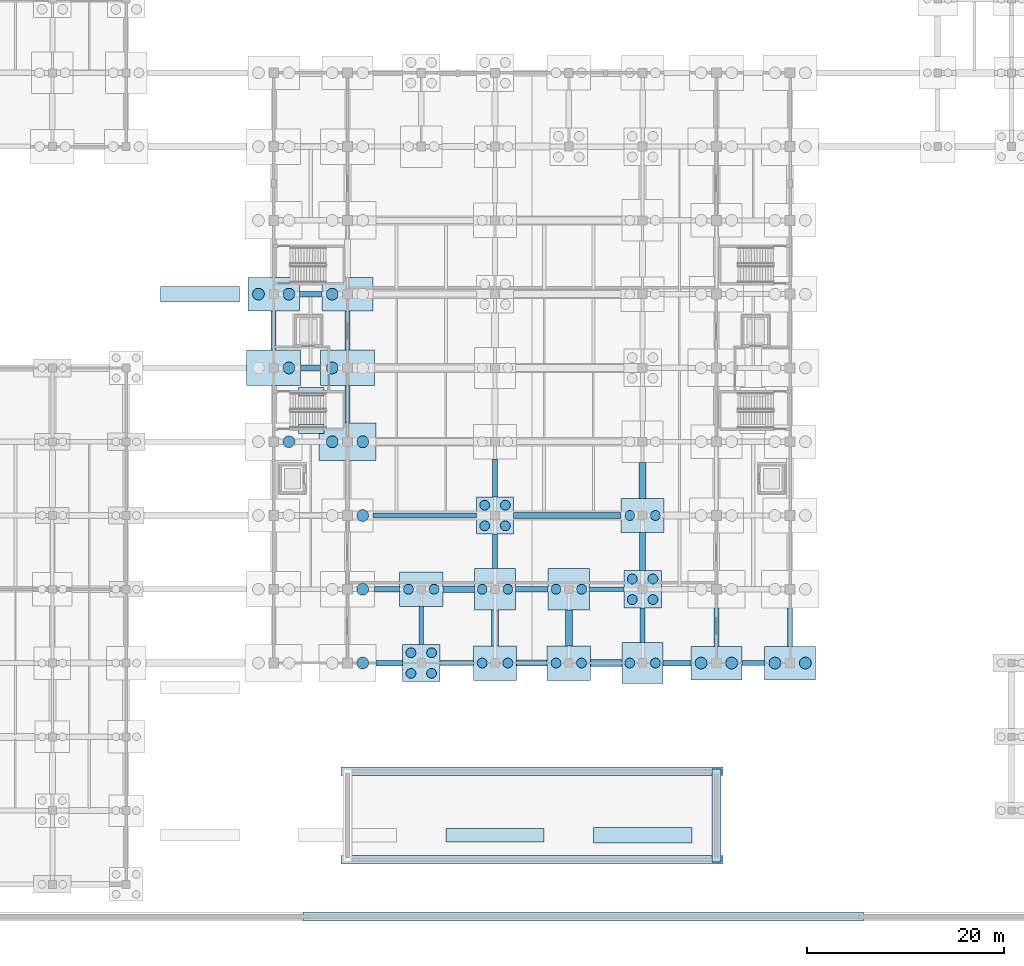
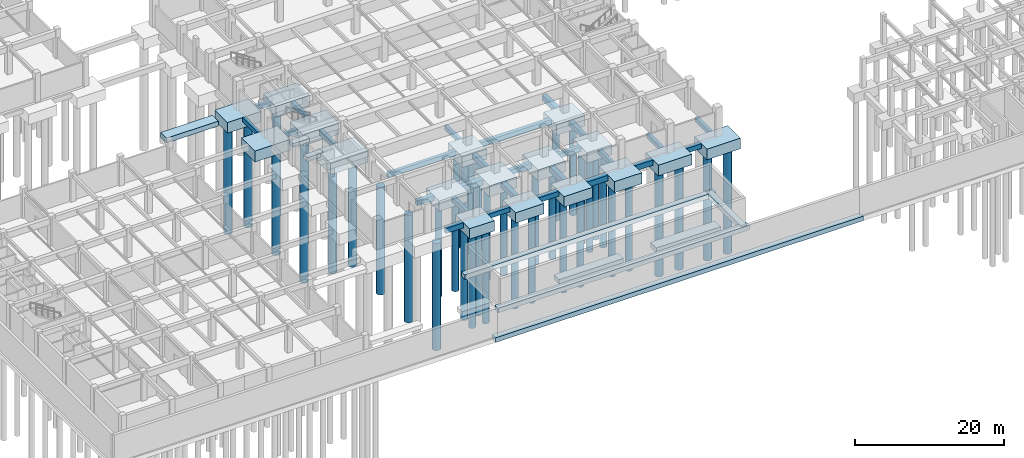
# One storey, part 4 of 38: 53 footings, 41 piles.
"""IFC4 building model written with IfcOpenShell, lengths in metres."""

from ifc_helpers import new_model, si_unit, direction, frame, origin, origin_2d, place, context, subcontext, project, spatial, polyline, rectangle, circle, outline, extrude, material, material_profile, profile_set, type_object, element, save


model = new_model("IFC4")

# Units and contexts
model_context = context("Model", 3, precision=1e-05, world=origin(), true_north=direction((0.0, 1.0)))
body_context = subcontext(model_context, "Body", "Model", "MODEL_VIEW")
ifc_project = project(units=[si_unit("LENGTHUNIT", "METRE"), si_unit("AREAUNIT", "SQUARE_METRE"), si_unit("VOLUMEUNIT", "CUBIC_METRE"), si_unit("PLANEANGLEUNIT", "RADIAN"), si_unit("MASSUNIT", "GRAM", prefix="KILO")], contexts=[model_context])

# Site, building, storey
site_placement = place(None, origin())
site = spatial("IfcSite", under=ifc_project, at=site_placement, CompositionType="ELEMENT")
building_placement = place(site_placement, origin())
building = spatial("IfcBuilding", under=site, at=building_placement, Name="Qasida Concert Hall", CompositionType="ELEMENT")
storey_placement = place(building_placement, frame((0.0, 0.0, -4.800048828125)))
storey = spatial("IfcBuildingStorey", under=building, at=storey_placement, Name="B1", CompositionType="ELEMENT", Elevation=-4.800048828125)

# Footings
ifc_material = material(Name="Concrete C40/50", Category="concrete")
footing_type_1 = type_object("IfcFootingType", Name="FT-GB-1", PredefinedType="FOOTING_BEAM", material=ifc_material)
footing_1_placement = place(storey_placement, frame((0.0, 0.0, -1.169921875)))
element("IfcFooting", 1, at=footing_1_placement, inside=storey, type_object=footing_type_1, Name="Ground tie beam GB-1 036", PredefinedType="FOOTING_BEAM", context=body_context, shape_type="SweptSolid", body=[
    extrude(outline(polyline([(69.39990234375, 22.25), (72.800048828125, 22.25), (72.800048828125, 22.75), (69.39990234375, 22.75), (69.39990234375, 22.25)])), origin(), (0.0, 0.0, 1.0), 0.75),
])
footing_2_placement = place(storey_placement, frame((0.0, 0.0, -1.169921875)))
element("IfcFooting", 2, at=footing_2_placement, inside=storey, type_object=footing_type_1, Name="Ground tie beam GB-1 040", PredefinedType="FOOTING_BEAM", context=body_context, shape_type="SweptSolid", body=[
    extrude(outline(polyline([(100.10009765625, 22.25), (102.39990234375, 22.25), (102.39990234375, 22.75), (100.10009765625, 22.75), (100.10009765625, 22.25)])), origin(), (0.0, 0.0, 1.0), 0.75),
])
footing_3_placement = place(storey_placement, frame((0.0, 0.0, -1.169921875)))
element("IfcFooting", 3, at=footing_3_placement, inside=storey, type_object=footing_type_1, Name="Ground tie beam GB-1 056", PredefinedType="FOOTING_BEAM", context=body_context, shape_type="SweptSolid", body=[
    extrude(outline(polyline([(84.60009765625, 29.75), (88.10009765625, 29.75), (88.10009765625, 30.25), (84.60009765625, 30.25), (84.60009765625, 29.75)])), origin(), (0.0, 0.0, 1.0), 0.75),
])
footing_4_placement = place(storey_placement, frame((0.0, 0.0, -1.169921875)))
element("IfcFooting", 4, at=footing_4_placement, inside=storey, type_object=footing_type_1, Name="Ground tie beam GB-1 068", PredefinedType="FOOTING_BEAM", context=body_context, shape_type="SweptSolid", body=[
    extrude(outline(polyline([(62.60009765625, 37.25), (73.10009765625, 37.25), (73.10009765625, 37.75), (62.60009765625, 37.75), (62.60009765625, 37.25)])), origin(), (0.0, 0.0, 1.0), 0.75),
])
footing_5_placement = place(storey_placement, frame((0.0, 0.0, -1.169921875)))
element("IfcFooting", 5, at=footing_5_placement, inside=storey, type_object=footing_type_1, Name="Ground tie beam GB-1 088", PredefinedType="FOOTING_BEAM", context=body_context, shape_type="SweptSolid", body=[
    extrude(outline(polyline([(55.25, 52.25), (57.25, 52.25), (57.25, 52.75), (55.25, 52.75), (55.25, 52.25)])), origin(), (0.0, 0.0, 1.0), 0.75),
])
footing_6_placement = place(storey_placement, frame((0.0, 0.0, -1.169921875)))
element("IfcFooting", 6, at=footing_6_placement, inside=storey, type_object=footing_type_1, Name="Ground tie beam GB-1 092", PredefinedType="FOOTING_BEAM", context=body_context, shape_type="SweptSolid", body=[
    extrude(outline(polyline([(55.10009765625, 59.75), (57.39990234375, 59.75), (57.39990234375, 60.25), (55.10009765625, 60.25), (55.10009765625, 59.75)])), origin(), (0.0, 0.0, 1.0), 0.75),
])
footing_7_placement = place(storey_placement, frame((0.0, 0.0, -1.169921875)))
element("IfcFooting", 7, at=footing_7_placement, inside=storey, type_object=footing_type_1, Name="Ground tie beam GB-1 260", PredefinedType="FOOTING_BEAM", context=body_context, shape_type="SweptSolid", body=[
    extrude(outline(polyline([(52.25, 54.300048828125), (52.75, 54.300048828125), (52.75, 58.300048828125), (52.25, 58.300048828125), (52.25, 54.300048828125)])), origin(), (0.0, 0.0, 1.0), 0.75),
])
footing_8_placement = place(storey_placement, frame((0.0, 0.0, -1.169921875)))
element("IfcFooting", 8, at=footing_8_placement, inside=storey, type_object=footing_type_1, Name="Ground tie beam GB-1 268", PredefinedType="FOOTING_BEAM", context=body_context, shape_type="SweptSolid", body=[
    extrude(outline(polyline([(59.75, 54.300048828125), (60.25, 54.300048828125), (60.25, 58.300048828125), (59.75, 58.300048828125), (59.75, 54.300048828125)])), origin(), (0.0, 0.0, 1.0), 0.75),
])
footing_9_placement = place(storey_placement, frame((0.0, 0.0, -1.169921875)))
element("IfcFooting", 9, at=footing_9_placement, inside=storey, type_object=footing_type_1, Name="Ground tie beam GB-1 272", PredefinedType="FOOTING_BEAM", context=body_context, shape_type="SweptSolid", body=[
    extrude(outline(polyline([(67.25, 24.39990234375), (67.75, 24.39990234375), (67.75, 28.25), (67.25, 28.25), (67.25, 24.39990234375)])), origin(), (0.0, 0.0, 1.0), 0.75),
])
footing_10_placement = place(storey_placement, frame((0.0, 0.0, -1.169921875)))
element("IfcFooting", 10, at=footing_10_placement, inside=storey, type_object=footing_type_1, Name="Ground tie beam GB-1 276", PredefinedType="FOOTING_BEAM", context=body_context, shape_type="SweptSolid", body=[
    extrude(outline(polyline([(74.75, 39.39990234375), (75.25, 39.39990234375), (75.25, 43.25), (74.75, 43.25), (74.75, 39.39990234375)])), origin(), (0.0, 0.0, 1.0), 0.75),
])
footing_11_placement = place(storey_placement, frame((0.0, 0.0, -1.169921875)))
element("IfcFooting", 11, at=footing_11_placement, inside=storey, type_object=footing_type_1, Name="Ground tie beam GB-1 284", PredefinedType="FOOTING_BEAM", context=body_context, shape_type="SweptSolid", body=[
    extrude(outline(polyline([(89.75, 24.60009765625), (90.25, 24.60009765625), (90.25, 28.10009765625), (89.75, 28.10009765625), (89.75, 24.60009765625)])), origin(), (0.0, 0.0, 1.0), 0.75),
])
footing_12_placement = place(storey_placement, frame((0.0, 0.0, -1.169921875)))
element("IfcFooting", 12, at=footing_12_placement, inside=storey, type_object=footing_type_1, Name="Ground tie beam GB-1 292", PredefinedType="FOOTING_BEAM", context=body_context, shape_type="SweptSolid", body=[
    extrude(outline(polyline([(97.25, 24.199951171875), (97.75, 24.199951171875), (97.75, 28.10009765625), (97.25, 28.10009765625), (97.25, 24.199951171875)])), origin(), (0.0, 0.0, 1.0), 0.75),
])
footing_13_placement = place(storey_placement, frame((0.0, 0.0, -1.169921875)))
element("IfcFooting", 13, at=footing_13_placement, inside=storey, type_object=footing_type_1, Name="Ground tie beam GB-1 300", PredefinedType="FOOTING_BEAM", context=body_context, shape_type="SweptSolid", body=[
    extrude(outline(polyline([(104.75, 24.199951171875), (105.25, 24.199951171875), (105.25, 28.10009765625), (104.75, 28.10009765625), (104.75, 24.199951171875)])), origin(), (0.0, 0.0, 1.0), 0.75),
])
footing_type_2 = type_object("IfcFootingType", Name="FT-GB-2", PredefinedType="FOOTING_BEAM", material=ifc_material)
footing_14_placement = place(storey_placement, frame((0.0, 0.0, -1.219970703125)))
element("IfcFooting", 14, at=footing_14_placement, inside=storey, type_object=footing_type_2, Name="Ground tie beam GB-2 037", PredefinedType="FOOTING_BEAM", context=body_context, shape_type="SweptSolid", body=[
    extrude(outline(polyline([(77.199951171875, 22.199951171875), (80.300048828125, 22.199951171875), (80.300048828125, 22.800048828125), (77.199951171875, 22.800048828125), (77.199951171875, 22.199951171875)])), origin(), (0.0, 0.0, 1.0), 0.800048828125),
])
footing_15_placement = place(storey_placement, frame((0.0, 0.0, -1.219970703125)))
element("IfcFooting", 15, at=footing_15_placement, inside=storey, type_object=footing_type_2, Name="Ground tie beam GB-2 053", PredefinedType="FOOTING_BEAM", context=body_context, shape_type="SweptSolid", body=[
    extrude(outline(polyline([(62.75, 29.699951171875), (65.300048828125, 29.699951171875), (65.300048828125, 30.300048828125), (62.75, 30.300048828125), (62.75, 29.699951171875)])), origin(), (0.0, 0.0, 1.0), 0.800048828125),
])
footing_16_placement = place(storey_placement, frame((0.0, 0.0, -1.219970703125)))
element("IfcFooting", 16, at=footing_16_placement, inside=storey, type_object=footing_type_2, Name="Ground tie beam GB-2 069", PredefinedType="FOOTING_BEAM", context=body_context, shape_type="SweptSolid", body=[
    extrude(outline(polyline([(76.89990234375, 37.199951171875), (87.800048828125, 37.199951171875), (87.800048828125, 37.800048828125), (76.89990234375, 37.800048828125), (76.89990234375, 37.199951171875)])), origin(), (0.0, 0.0, 1.0), 0.800048828125),
])
footing_17_placement = place(storey_placement, frame((0.0, 0.0, -1.219970703125)))
element("IfcFooting", 17, at=footing_17_placement, inside=storey, type_object=footing_type_2, Name="Ground tie beam GB-2 285", PredefinedType="FOOTING_BEAM", context=body_context, shape_type="SweptSolid", body=[
    extrude(outline(polyline([(89.699951171875, 31.89990234375), (90.300048828125, 31.89990234375), (90.300048828125, 35.75), (89.699951171875, 35.75), (89.699951171875, 31.89990234375)])), origin(), (0.0, 0.0, 1.0), 0.800048828125),
])
footing_type_3 = type_object("IfcFootingType", Name="FT-GB-3", PredefinedType="FOOTING_BEAM", material=ifc_material)
footing_18_placement = place(storey_placement, frame((0.0, 0.0, -1.320068359375)))
element("IfcFooting", 18, at=footing_18_placement, inside=storey, type_object=footing_type_3, Name="Ground tie beam GB-3 038", PredefinedType="FOOTING_BEAM", context=body_context, shape_type="SweptSolid", body=[
    extrude(outline(polyline([(84.699951171875, 22.14990234375), (87.89990234375, 22.14990234375), (87.89990234375, 22.85009765625), (84.699951171875, 22.85009765625), (84.699951171875, 22.14990234375)])), origin(), (0.0, 0.0, 1.0), 0.900146484375),
])
footing_19_placement = place(storey_placement, frame((0.0, 0.0, -1.320068359375)))
element("IfcFooting", 19, at=footing_19_placement, inside=storey, type_object=footing_type_3, Name="Ground tie beam GB-3 054", PredefinedType="FOOTING_BEAM", context=body_context, shape_type="SweptSolid", body=[
    extrude(outline(polyline([(69.699951171875, 29.64990234375), (72.89990234375, 29.64990234375), (72.89990234375, 30.35009765625), (69.699951171875, 30.35009765625), (69.699951171875, 29.64990234375)])), origin(), (0.0, 0.0, 1.0), 0.900146484375),
])
footing_20_placement = place(storey_placement, frame((0.0, 0.0, -1.320068359375)))
element("IfcFooting", 20, at=footing_20_placement, inside=storey, type_object=footing_type_3, Name="Ground tie beam GB-3 274", PredefinedType="FOOTING_BEAM", context=body_context, shape_type="SweptSolid", body=[
    extrude(outline(polyline([(74.64990234375, 24.25), (75.35009765625, 24.25), (75.35009765625, 27.89990234375), (74.64990234375, 27.89990234375), (74.64990234375, 24.25)])), origin(), (0.0, 0.0, 1.0), 0.900146484375),
])
footing_21_placement = place(storey_placement, frame((0.0, 0.0, -1.320068359375)))
element("IfcFooting", 21, at=footing_21_placement, inside=storey, type_object=footing_type_3, Name="Ground tie beam GB-3 282", PredefinedType="FOOTING_BEAM", context=body_context, shape_type="SweptSolid", body=[
    extrude(outline(polyline([(82.14990234375, 24.25), (82.85009765625, 24.25), (82.85009765625, 27.89990234375), (82.14990234375, 27.89990234375), (82.14990234375, 24.25)])), origin(), (0.0, 0.0, 1.0), 0.900146484375),
])
footing_22_placement = place(storey_placement, frame((0.0, 0.0, -1.320068359375)))
element("IfcFooting", 22, at=footing_22_placement, inside=storey, type_object=footing_type_3, Name="Ground tie beam GB-3 286", PredefinedType="FOOTING_BEAM", context=body_context, shape_type="SweptSolid", body=[
    extrude(outline(polyline([(89.64990234375, 39.25), (90.35009765625, 39.25), (90.35009765625, 42.89990234375), (89.64990234375, 42.89990234375), (89.64990234375, 39.25)])), origin(), (0.0, 0.0, 1.0), 0.900146484375),
])
footing_type_4 = type_object("IfcFootingType", Name="FT-GB-4", PredefinedType="FOOTING_BEAM", material=ifc_material)
footing_23_placement = place(storey_placement, frame((0.0, 0.0, -1.27001953125)))
element("IfcFooting", 23, at=footing_23_placement, inside=storey, type_object=footing_type_4, Name="Ground tie beam GB-4 035", PredefinedType="FOOTING_BEAM", context=body_context, shape_type="SweptSolid", body=[
    extrude(outline(polyline([(62.89990234375, 22.22509765625), (65.60009765625, 22.22509765625), (65.60009765625, 22.77490234375), (62.89990234375, 22.77490234375), (62.89990234375, 22.22509765625)])), origin(), (0.0, 0.0, 1.0), 0.85009765625),
])
footing_24_placement = place(storey_placement, frame((0.0, 0.0, -1.27001953125)))
element("IfcFooting", 24, at=footing_24_placement, inside=storey, type_object=footing_type_4, Name="Ground tie beam GB-4 039", PredefinedType="FOOTING_BEAM", context=body_context, shape_type="SweptSolid", body=[
    extrude(outline(polyline([(92.10009765625, 22.22509765625), (94.89990234375, 22.22509765625), (94.89990234375, 22.77490234375), (92.10009765625, 22.77490234375), (92.10009765625, 22.22509765625)])), origin(), (0.0, 0.0, 1.0), 0.85009765625),
])
footing_25_placement = place(storey_placement, frame((0.0, 0.0, -1.27001953125)))
element("IfcFooting", 25, at=footing_25_placement, inside=storey, type_object=footing_type_4, Name="Ground tie beam GB-4 055", PredefinedType="FOOTING_BEAM", context=body_context, shape_type="SweptSolid", body=[
    extrude(outline(polyline([(77.10009765625, 29.72509765625), (80.39990234375, 29.72509765625), (80.39990234375, 30.27490234375), (77.10009765625, 30.27490234375), (77.10009765625, 29.72509765625)])), origin(), (0.0, 0.0, 1.0), 0.85009765625),
])
footing_26_placement = place(storey_placement, frame((0.0, 0.0, -1.27001953125)))
element("IfcFooting", 26, at=footing_26_placement, inside=storey, type_object=footing_type_4, Name="Ground tie beam GB-4 267", PredefinedType="FOOTING_BEAM", context=body_context, shape_type="SweptSolid", body=[
    extrude(outline(polyline([(59.72509765625, 46.89990234375), (60.27490234375, 46.89990234375), (60.27490234375, 50.699951171875), (59.72509765625, 50.699951171875), (59.72509765625, 46.89990234375)])), origin(), (0.0, 0.0, 1.0), 0.85009765625),
])
footing_27_placement = place(storey_placement, frame((0.0, 0.0, -1.27001953125)))
element("IfcFooting", 27, at=footing_27_placement, inside=storey, type_object=footing_type_4, Name="Ground tie beam GB-4 275", PredefinedType="FOOTING_BEAM", context=body_context, shape_type="SweptSolid", body=[
    extrude(outline(polyline([(74.72509765625, 32.10009765625), (75.27490234375, 32.10009765625), (75.27490234375, 35.60009765625), (74.72509765625, 35.60009765625), (74.72509765625, 32.10009765625)])), origin(), (0.0, 0.0, 1.0), 0.85009765625),
])
footing_type_5 = type_object("IfcFootingType", Name="FT-PC-4C", PredefinedType="PILE_CAP", material=ifc_material)
for number, where, z_axis, x_axis, name in (
    (28, (67.5, 22.5, -2.1201171875), (0.0, 0.0, 1.0), (1.0, 0.0, 0.0), "Pile cap PC-4C 019"),
    (29, (75.0, 37.5, -2.1201171875), (0.0, 0.0, 1.0), (1.0, 0.0, 0.0), "Pile cap PC-4C 025"),
    (30, (90.0, 30.0, -2.1201171875), (0.0, 0.0, 1.0), (1.0, 0.0, 0.0), "Pile cap PC-4C 037"),
):
    element("IfcFooting", number, at=place(storey_placement, frame(where, z_axis=z_axis, x_axis=x_axis)), inside=storey, type_object=footing_type_5, Name=name, PredefinedType="PILE_CAP", context=body_context, shape_type="SweptSolid", body=[
        extrude(rectangle(XDim=3.800048828125, YDim=3.800048828125, at=origin_2d()), origin(), (0.0, 0.0, 1.0), 1.699951171875),
    ])
footing_type_6 = type_object("IfcFootingType", Name="FT-PC-4D", PredefinedType="PILE_CAP", material=ifc_material)
for number, where, z_axis, x_axis, name in (
    (31, (75.0, 30.0, -2.22021484375), (0.0, 0.0, 1.0), (1.0, 0.0, 0.0), "Pile cap PC-4D 024"),
    (32, (82.5, 30.0, -2.22021484375), (0.0, 0.0, 1.0), (1.0, 0.0, 0.0), "Pile cap PC-4D 033"),
    (33, (90.0, 22.5, -2.22021484375), (0.0, 0.0, 1.0), (1.0, 0.0, 0.0), "Pile cap PC-4D 036"),
):
    element("IfcFooting", number, at=place(storey_placement, frame(where, z_axis=z_axis, x_axis=x_axis)), inside=storey, type_object=footing_type_6, Name=name, PredefinedType="PILE_CAP", context=body_context, shape_type="SweptSolid", body=[
        extrude(rectangle(XDim=4.199951171875, YDim=4.199951171875, at=origin_2d()), origin(), (0.0, 0.0, 1.0), 1.800048828125),
    ])
footing_type_7 = type_object("IfcFootingType", Name="FT-PC-4F", PredefinedType="PILE_CAP", material=ifc_material)
for number, where, z_axis, x_axis, name in (
    (34, (67.5, 30.0, -2.1201171875), (0.0, 0.0, 1.0), (1.0, 0.0, 0.0), "Pile cap PC-4F 020"),
    (35, (75.0, 22.5, -2.1201171875), (0.0, 0.0, 1.0), (1.0, 0.0, 0.0), "Pile cap PC-4F 023"),
    (36, (82.5, 22.5, -2.1201171875), (0.0, 0.0, 1.0), (1.0, 0.0, 0.0), "Pile cap PC-4F 032"),
    (37, (90.0, 37.5, -2.1201171875), (0.0, 0.0, 1.0), (1.0, 0.0, 0.0), "Pile cap PC-4F 038"),
):
    element("IfcFooting", number, at=place(storey_placement, frame(where, z_axis=z_axis, x_axis=x_axis)), inside=storey, type_object=footing_type_7, Name=name, PredefinedType="PILE_CAP", context=body_context, shape_type="SweptSolid", body=[
        extrude(rectangle(XDim=4.39990234375, YDim=3.5, at=origin_2d()), origin(), (0.0, 0.0, 1.0), 1.699951171875),
    ])
footing_type_8 = type_object("IfcFootingType", Name="FT-PC-6A", PredefinedType="PILE_CAP", material=ifc_material)
for number, where, z_axis, x_axis, name in (
    (38, (52.5, 60.0, -2.169921875), (0.0, 0.0, 1.0), (1.0, 0.0, 0.0), "Pile cap PC-6A 006"),
    (39, (60.0, 60.0, -2.169921875), (0.0, 0.0, 1.0), (1.0, 0.0, 0.0), "Pile cap PC-6A 015"),
    (40, (97.5, 22.5, -2.169921875), (0.0, 0.0, 1.0), (1.0, 0.0, 0.0), "Pile cap PC-6A 045"),
    (41, (105.0, 22.5, -2.169921875), (0.0, 0.0, 1.0), (1.0, 0.0, 0.0), "Pile cap PC-6A 054"),
):
    element("IfcFooting", number, at=place(storey_placement, frame(where, z_axis=z_axis, x_axis=x_axis)), inside=storey, type_object=footing_type_8, Name=name, PredefinedType="PILE_CAP", context=body_context, shape_type="SweptSolid", body=[
        extrude(rectangle(XDim=5.199951171875, YDim=3.39990234375, at=origin_2d()), origin(), (0.0, 0.0, 1.0), 1.75),
    ])
footing_type_9 = type_object("IfcFootingType", Name="FT-PC-6B", PredefinedType="PILE_CAP", material=ifc_material)
footing_28_placement = place(storey_placement, frame((60.0, 45.0, -2.27001953125), z_axis=(0.0, 0.0, 1.0), x_axis=(1.0, 0.0, 0.0)))
element("IfcFooting", 42, at=footing_28_placement, inside=storey, type_object=footing_type_9, Name="Pile cap PC-6B 013", PredefinedType="PILE_CAP", context=body_context, shape_type="SweptSolid", body=[
    extrude(rectangle(XDim=5.800048828125, YDim=3.800048828125, at=origin_2d()), origin(), (0.0, 0.0, 1.0), 1.85009765625),
])
footing_type_10 = type_object("IfcFootingType", Name="FT-PC-6C", PredefinedType="PILE_CAP", material=ifc_material)
for number, where, z_axis, x_axis, name in (
    (43, (52.5, 52.5, -2.22021484375), (0.0, 0.0, 1.0), (1.0, 0.0, 0.0), "Pile cap PC-6C 005"),
    (44, (60.0, 52.5, -2.22021484375), (0.0, 0.0, 1.0), (1.0, 0.0, 0.0), "Pile cap PC-6C 014"),
):
    element("IfcFooting", number, at=place(storey_placement, frame(where, z_axis=z_axis, x_axis=x_axis)), inside=storey, type_object=footing_type_10, Name=name, PredefinedType="PILE_CAP", context=body_context, shape_type="SweptSolid", body=[
        extrude(rectangle(XDim=5.5, YDim=3.60009765625, at=origin_2d()), origin(), (0.0, 0.0, 1.0), 1.800048828125),
    ])
footing_type_11 = type_object("IfcFootingType", Name="FT-SF-1C", PredefinedType="STRIP_FOOTING", material=ifc_material)
footing_29_placement = place(storey_placement, frame((0.0, 0.0, -1.050048828125)))
element("IfcFooting", 45, at=footing_29_placement, inside=storey, type_object=footing_type_11, Name="B1 ST01 stairwell strip footing S", PredefinedType="STRIP_FOOTING", context=body_context, shape_type="SweptSolid", body=[
    extrude(outline(polyline([(55.0, 45.824951171875), (57.60009765625, 45.824951171875), (57.60009765625, 46.72509765625), (55.0, 46.72509765625), (55.0, 45.824951171875)])), origin(), (0.0, 0.0, 1.0), 0.630126953125),
])
footing_30_placement = place(storey_placement, frame((0.0, 0.0, -1.050048828125)))
element("IfcFooting", 46, at=footing_30_placement, inside=storey, type_object=footing_type_11, Name="B1 ST01 stairwell strip footing N", PredefinedType="STRIP_FOOTING", context=body_context, shape_type="SweptSolid", body=[
    extrude(outline(polyline([(55.0, 49.635009765625), (57.60009765625, 49.635009765625), (57.60009765625, 50.534912109375), (55.0, 50.534912109375), (55.0, 49.635009765625)])), origin(), (0.0, 0.0, 1.0), 0.630126953125),
])
footing_type_12 = type_object("IfcFootingType", Name="FT-SF-2", PredefinedType="STRIP_FOOTING", material=ifc_material)
footing_31_placement = place(storey_placement, frame((0.0, 0.0, -1.169921875)))
element("IfcFooting", 47, at=footing_31_placement, inside=storey, type_object=footing_type_12, Name="Strip footing SF-2 04", PredefinedType="STRIP_FOOTING", context=body_context, shape_type="SweptSolid", body=[
    extrude(outline(polyline([(70.0, 4.300048828125), (80.0, 4.300048828125), (80.0, 5.699951171875), (70.0, 5.699951171875), (70.0, 4.300048828125)])), origin(), (0.0, 0.0, 1.0), 0.75),
])
footing_type_13 = type_object("IfcFootingType", Name="FT-SF-2A", PredefinedType="STRIP_FOOTING", material=ifc_material)
footing_32_placement = place(storey_placement, frame((0.0, 0.0, -0.75)))
element("IfcFooting", 48, at=footing_32_placement, inside=storey, type_object=footing_type_13, Name="B1 plaza plinth strip footing PLW-S2", PredefinedType="STRIP_FOOTING", context=body_context, shape_type="SweptSolid", body=[
    extrude(outline(polyline([(55.550048828125, -3.72509765625), (112.449951171875, -3.72509765625), (112.449951171875, -2.824951171875), (55.550048828125, -2.824951171875), (55.550048828125, -3.72509765625)])), origin(), (0.0, 0.0, 1.0), 0.75),
])
footing_33_placement = place(storey_placement, frame((0.0, 0.0, -0.75)))
element("IfcFooting", 49, at=footing_33_placement, inside=storey, type_object=footing_type_13, Name="B1 plaza plinth strip footing MFW-S", PredefinedType="STRIP_FOOTING", context=body_context, shape_type="SweptSolid", body=[
    extrude(outline(polyline([(59.324951171875, 2.050048828125), (98.175048828125, 2.050048828125), (98.175048828125, 2.949951171875), (59.324951171875, 2.949951171875), (59.324951171875, 2.050048828125)])), origin(), (0.0, 0.0, 1.0), 0.75),
])
footing_34_placement = place(storey_placement, frame((0.0, 0.0, -0.75)))
element("IfcFooting", 50, at=footing_34_placement, inside=storey, type_object=footing_type_13, Name="B1 plaza plinth strip footing MFW-N", PredefinedType="STRIP_FOOTING", context=body_context, shape_type="SweptSolid", body=[
    extrude(outline(polyline([(59.324951171875, 11.050048828125), (98.175048828125, 11.050048828125), (98.175048828125, 11.949951171875), (59.324951171875, 11.949951171875), (59.324951171875, 11.050048828125)])), origin(), (0.0, 0.0, 1.0), 0.75),
])
footing_35_placement = place(storey_placement, frame((0.0, 0.0, -0.75)))
element("IfcFooting", 51, at=footing_35_placement, inside=storey, type_object=footing_type_13, Name="B1 plaza plinth strip footing MFW-E", PredefinedType="STRIP_FOOTING", context=body_context, shape_type="SweptSolid", body=[
    extrude(outline(polyline([(97.050048828125, 2.27490234375), (97.949951171875, 2.27490234375), (97.949951171875, 11.72509765625), (97.050048828125, 11.72509765625), (97.050048828125, 2.27490234375)])), origin(), (0.0, 0.0, 1.0), 0.75),
])
footing_type_14 = type_object("IfcFootingType", Name="FT-SF-3", PredefinedType="STRIP_FOOTING", material=ifc_material)
footing_36_placement = place(storey_placement, frame((0.0, 0.0, -1.219970703125)))
element("IfcFooting", 52, at=footing_36_placement, inside=storey, type_object=footing_type_14, Name="Strip footing SF-3 05", PredefinedType="STRIP_FOOTING", context=body_context, shape_type="SweptSolid", body=[
    extrude(outline(polyline([(85.0, 4.199951171875), (95.0, 4.199951171875), (95.0, 5.800048828125), (85.0, 5.800048828125), (85.0, 4.199951171875)])), origin(), (0.0, 0.0, 1.0), 0.800048828125),
])
footing_37_placement = place(storey_placement, frame((0.0, 0.0, -1.219970703125)))
element("IfcFooting", 53, at=footing_37_placement, inside=storey, type_object=footing_type_14, Name="Strip footing SF-3 06", PredefinedType="STRIP_FOOTING", context=body_context, shape_type="SweptSolid", body=[
    extrude(outline(polyline([(41.0, 59.199951171875), (49.0, 59.199951171875), (49.0, 60.800048828125), (41.0, 60.800048828125), (41.0, 59.199951171875)])), origin(), (0.0, 0.0, 1.0), 0.800048828125),
])

# Piles
ifc_material_profile_1 = material_profile(ifc_material, circle(Radius=0.5, at=origin_2d()), Name="BORED PILE D1000")
ifc_profile_set_1 = profile_set([ifc_material_profile_1], Name="Concrete C40/50")
pile_type_1 = type_object("IfcPileType", Name="PL-BORED-1000", PredefinedType="BORED", material=ifc_profile_set_1)
for number, where, z_axis, x_axis, name in (
    (54, (66.449951171875, 21.449951171875, -2.02001953125), (0.0, 0.0, -1.0), (1.0, 0.0, 0.0), "Bored pile 0037"),
    (55, (68.550048828125, 21.449951171875, -2.02001953125), (0.0, 0.0, -1.0), (1.0, 0.0, 0.0), "Bored pile 0038"),
    (56, (66.449951171875, 23.550048828125, -2.02001953125), (0.0, 0.0, -1.0), (1.0, 0.0, 0.0), "Bored pile 0039"),
    (57, (68.550048828125, 23.550048828125, -2.02001953125), (0.0, 0.0, -1.0), (1.0, 0.0, 0.0), "Bored pile 0040"),
    (58, (66.199951171875, 30.0, -2.02001953125), (0.0, 0.0, -1.0), (1.0, 0.0, 0.0), "Bored pile 0041"),
    (59, (68.800048828125, 30.0, -2.02001953125), (0.0, 0.0, -1.0), (1.0, 0.0, 0.0), "Bored pile 0042"),
    (60, (73.699951171875, 22.5, -2.02001953125), (0.0, 0.0, -1.0), (1.0, 0.0, 0.0), "Bored pile 0049"),
    (61, (76.300048828125, 22.5, -2.02001953125), (0.0, 0.0, -1.0), (1.0, 0.0, 0.0), "Bored pile 0050"),
):
    element("IfcPile", number, at=place(storey_placement, frame(where, z_axis=z_axis, x_axis=x_axis)), inside=storey, type_object=pile_type_1, Name=name, PredefinedType="BORED", context=body_context, shape_type="SweptSolid", body=[
        extrude(circle(Radius=0.5, at=origin_2d()), origin(), (0.0, 0.0, 1.0), 15.179931640625),
    ])
for number, where, z_axis, x_axis, name in (
    (62, (73.699951171875, 30.0, -2.119873046875), (0.0, 0.0, -1.0), (1.0, 0.0, 0.0), "Bored pile 0051"),
    (63, (76.300048828125, 30.0, -2.119873046875), (0.0, 0.0, -1.0), (1.0, 0.0, 0.0), "Bored pile 0052"),
):
    element("IfcPile", number, at=place(storey_placement, frame(where, z_axis=z_axis, x_axis=x_axis)), inside=storey, type_object=pile_type_1, Name=name, PredefinedType="BORED", context=body_context, shape_type="SweptSolid", body=[
        extrude(circle(Radius=0.5, at=origin_2d()), origin(), (0.0, 0.0, 1.0), 15.080078125),
    ])
for number, where, z_axis, x_axis, name in (
    (64, (73.949951171875, 36.449951171875, -2.02001953125), (0.0, 0.0, -1.0), (1.0, 0.0, 0.0), "Bored pile 0053"),
    (65, (76.050048828125, 36.449951171875, -2.02001953125), (0.0, 0.0, -1.0), (1.0, 0.0, 0.0), "Bored pile 0054"),
    (66, (73.949951171875, 38.550048828125, -2.02001953125), (0.0, 0.0, -1.0), (1.0, 0.0, 0.0), "Bored pile 0055"),
    (67, (76.050048828125, 38.550048828125, -2.02001953125), (0.0, 0.0, -1.0), (1.0, 0.0, 0.0), "Bored pile 0056"),
    (68, (81.199951171875, 22.5, -2.02001953125), (0.0, 0.0, -1.0), (1.0, 0.0, 0.0), "Bored pile 0073"),
    (69, (83.800048828125, 22.5, -2.02001953125), (0.0, 0.0, -1.0), (1.0, 0.0, 0.0), "Bored pile 0074"),
):
    element("IfcPile", number, at=place(storey_placement, frame(where, z_axis=z_axis, x_axis=x_axis)), inside=storey, type_object=pile_type_1, Name=name, PredefinedType="BORED", context=body_context, shape_type="SweptSolid", body=[
        extrude(circle(Radius=0.5, at=origin_2d()), origin(), (0.0, 0.0, 1.0), 15.179931640625),
    ])
for number, where, z_axis, x_axis, name in (
    (70, (81.199951171875, 30.0, -2.119873046875), (0.0, 0.0, -1.0), (1.0, 0.0, 0.0), "Bored pile 0075"),
    (71, (83.800048828125, 30.0, -2.119873046875), (0.0, 0.0, -1.0), (1.0, 0.0, 0.0), "Bored pile 0076"),
    (72, (88.699951171875, 22.5, -2.119873046875), (0.0, 0.0, -1.0), (1.0, 0.0, 0.0), "Bored pile 0083"),
    (73, (91.300048828125, 22.5, -2.119873046875), (0.0, 0.0, -1.0), (1.0, 0.0, 0.0), "Bored pile 0084"),
):
    element("IfcPile", number, at=place(storey_placement, frame(where, z_axis=z_axis, x_axis=x_axis)), inside=storey, type_object=pile_type_1, Name=name, PredefinedType="BORED", context=body_context, shape_type="SweptSolid", body=[
        extrude(circle(Radius=0.5, at=origin_2d()), origin(), (0.0, 0.0, 1.0), 15.080078125),
    ])
for number, where, z_axis, x_axis, name in (
    (74, (88.949951171875, 28.949951171875, -2.02001953125), (0.0, 0.0, -1.0), (1.0, 0.0, 0.0), "Bored pile 0085"),
    (75, (91.050048828125, 28.949951171875, -2.02001953125), (0.0, 0.0, -1.0), (1.0, 0.0, 0.0), "Bored pile 0086"),
    (76, (88.949951171875, 31.050048828125, -2.02001953125), (0.0, 0.0, -1.0), (1.0, 0.0, 0.0), "Bored pile 0087"),
    (77, (91.050048828125, 31.050048828125, -2.02001953125), (0.0, 0.0, -1.0), (1.0, 0.0, 0.0), "Bored pile 0088"),
    (78, (88.699951171875, 37.5, -2.02001953125), (0.0, 0.0, -1.0), (1.0, 0.0, 0.0), "Bored pile 0089"),
    (79, (91.300048828125, 37.5, -2.02001953125), (0.0, 0.0, -1.0), (1.0, 0.0, 0.0), "Bored pile 0090"),
):
    element("IfcPile", number, at=place(storey_placement, frame(where, z_axis=z_axis, x_axis=x_axis)), inside=storey, type_object=pile_type_1, Name=name, PredefinedType="BORED", context=body_context, shape_type="SweptSolid", body=[
        extrude(circle(Radius=0.5, at=origin_2d()), origin(), (0.0, 0.0, 1.0), 15.179931640625),
    ])
ifc_material_profile_2 = material_profile(ifc_material, circle(Radius=0.60009765625, at=origin_2d()), Name="BORED PILE D1200")
ifc_profile_set_2 = profile_set([ifc_material_profile_2], Name="Concrete C40/50")
pile_type_2 = type_object("IfcPileType", Name="PL-BORED-1200", PredefinedType="BORED", material=ifc_profile_set_2)
pile_1_placement = place(storey_placement, frame((54.050048828125, 45.0, -2.169921875), z_axis=(0.0, 0.0, -1.0), x_axis=(1.0, 0.0, 0.0)))
element("IfcPile", 80, at=pile_1_placement, inside=storey, type_object=pile_type_2, Name="Bored pile 0008", PredefinedType="BORED", context=body_context, shape_type="SweptSolid", body=[
    extrude(circle(Radius=0.60009765625, at=origin_2d()), origin(), (0.0, 0.0, 1.0), 17.530029296875),
])
pile_2_placement = place(storey_placement, frame((54.050048828125, 52.5, -2.119873046875), z_axis=(0.0, 0.0, -1.0), x_axis=(1.0, 0.0, 0.0)))
element("IfcPile", 81, at=pile_2_placement, inside=storey, type_object=pile_type_2, Name="Bored pile 0010", PredefinedType="BORED", context=body_context, shape_type="SweptSolid", body=[
    extrude(circle(Radius=0.60009765625, at=origin_2d()), origin(), (0.0, 0.0, 1.0), 17.580078125),
])
for number, where, z_axis, x_axis, name in (
    (82, (50.949951171875, 60.0, -2.070068359375), (0.0, 0.0, -1.0), (1.0, 0.0, 0.0), "Bored pile 0011"),
    (83, (54.050048828125, 60.0, -2.070068359375), (0.0, 0.0, -1.0), (1.0, 0.0, 0.0), "Bored pile 0012"),
):
    element("IfcPile", number, at=place(storey_placement, frame(where, z_axis=z_axis, x_axis=x_axis)), inside=storey, type_object=pile_type_2, Name=name, PredefinedType="BORED", context=body_context, shape_type="SweptSolid", body=[
        extrude(circle(Radius=0.60009765625, at=origin_2d()), origin(), (0.0, 0.0, 1.0), 17.6298828125),
    ])
pile_3_placement = place(storey_placement, frame((61.550048828125, 22.5, -2.169921875), z_axis=(0.0, 0.0, -1.0), x_axis=(1.0, 0.0, 0.0)))
element("IfcPile", 84, at=pile_3_placement, inside=storey, type_object=pile_type_2, Name="Bored pile 0020", PredefinedType="BORED", context=body_context, shape_type="SweptSolid", body=[
    extrude(circle(Radius=0.60009765625, at=origin_2d()), origin(), (0.0, 0.0, 1.0), 17.530029296875),
])
pile_4_placement = place(storey_placement, frame((61.550048828125, 30.0, -2.119873046875), z_axis=(0.0, 0.0, -1.0), x_axis=(1.0, 0.0, 0.0)))
element("IfcPile", 85, at=pile_4_placement, inside=storey, type_object=pile_type_2, Name="Bored pile 0022", PredefinedType="BORED", context=body_context, shape_type="SweptSolid", body=[
    extrude(circle(Radius=0.60009765625, at=origin_2d()), origin(), (0.0, 0.0, 1.0), 17.580078125),
])
pile_5_placement = place(storey_placement, frame((61.550048828125, 37.5, -2.070068359375), z_axis=(0.0, 0.0, -1.0), x_axis=(1.0, 0.0, 0.0)))
element("IfcPile", 86, at=pile_5_placement, inside=storey, type_object=pile_type_2, Name="Bored pile 0024", PredefinedType="BORED", context=body_context, shape_type="SweptSolid", body=[
    extrude(circle(Radius=0.60009765625, at=origin_2d()), origin(), (0.0, 0.0, 1.0), 17.6298828125),
])
for number, where, z_axis, x_axis, name in (
    (87, (58.449951171875, 45.0, -2.169921875), (0.0, 0.0, -1.0), (1.0, 0.0, 0.0), "Bored pile 0025"),
    (88, (61.550048828125, 45.0, -2.169921875), (0.0, 0.0, -1.0), (1.0, 0.0, 0.0), "Bored pile 0026"),
):
    element("IfcPile", number, at=place(storey_placement, frame(where, z_axis=z_axis, x_axis=x_axis)), inside=storey, type_object=pile_type_2, Name=name, PredefinedType="BORED", context=body_context, shape_type="SweptSolid", body=[
        extrude(circle(Radius=0.60009765625, at=origin_2d()), origin(), (0.0, 0.0, 1.0), 17.530029296875),
    ])
pile_6_placement = place(storey_placement, frame((58.449951171875, 52.5, -2.119873046875), z_axis=(0.0, 0.0, -1.0), x_axis=(1.0, 0.0, 0.0)))
element("IfcPile", 89, at=pile_6_placement, inside=storey, type_object=pile_type_2, Name="Bored pile 0027", PredefinedType="BORED", context=body_context, shape_type="SweptSolid", body=[
    extrude(circle(Radius=0.60009765625, at=origin_2d()), origin(), (0.0, 0.0, 1.0), 17.580078125),
])
for number, where, z_axis, x_axis, name in (
    (90, (58.449951171875, 60.0, -2.070068359375), (0.0, 0.0, -1.0), (1.0, 0.0, 0.0), "Bored pile 0029"),
    (91, (95.949951171875, 22.5, -2.070068359375), (0.0, 0.0, -1.0), (1.0, 0.0, 0.0), "Bored pile 0107"),
    (92, (99.050048828125, 22.5, -2.070068359375), (0.0, 0.0, -1.0), (1.0, 0.0, 0.0), "Bored pile 0108"),
    (93, (103.449951171875, 22.5, -2.070068359375), (0.0, 0.0, -1.0), (1.0, 0.0, 0.0), "Bored pile 0125"),
    (94, (106.550048828125, 22.5, -2.070068359375), (0.0, 0.0, -1.0), (1.0, 0.0, 0.0), "Bored pile 0126"),
):
    element("IfcPile", number, at=place(storey_placement, frame(where, z_axis=z_axis, x_axis=x_axis)), inside=storey, type_object=pile_type_2, Name=name, PredefinedType="BORED", context=body_context, shape_type="SweptSolid", body=[
        extrude(circle(Radius=0.60009765625, at=origin_2d()), origin(), (0.0, 0.0, 1.0), 17.6298828125),
    ])

save(model, "model.ifc")
